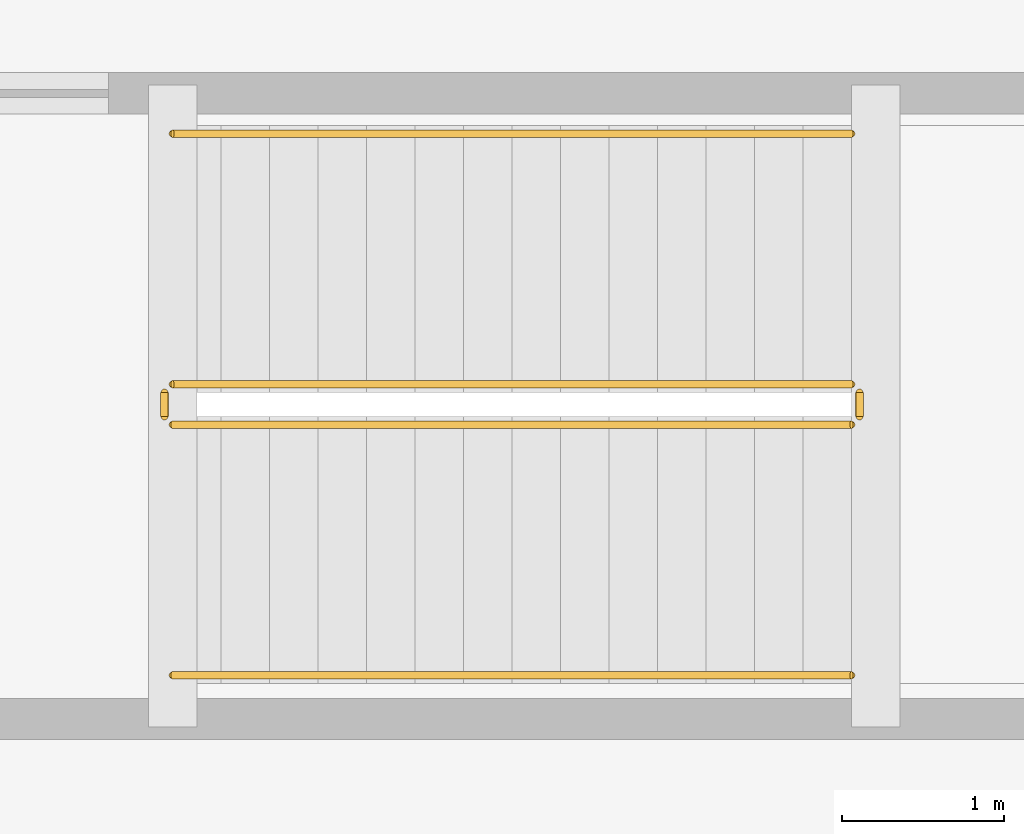
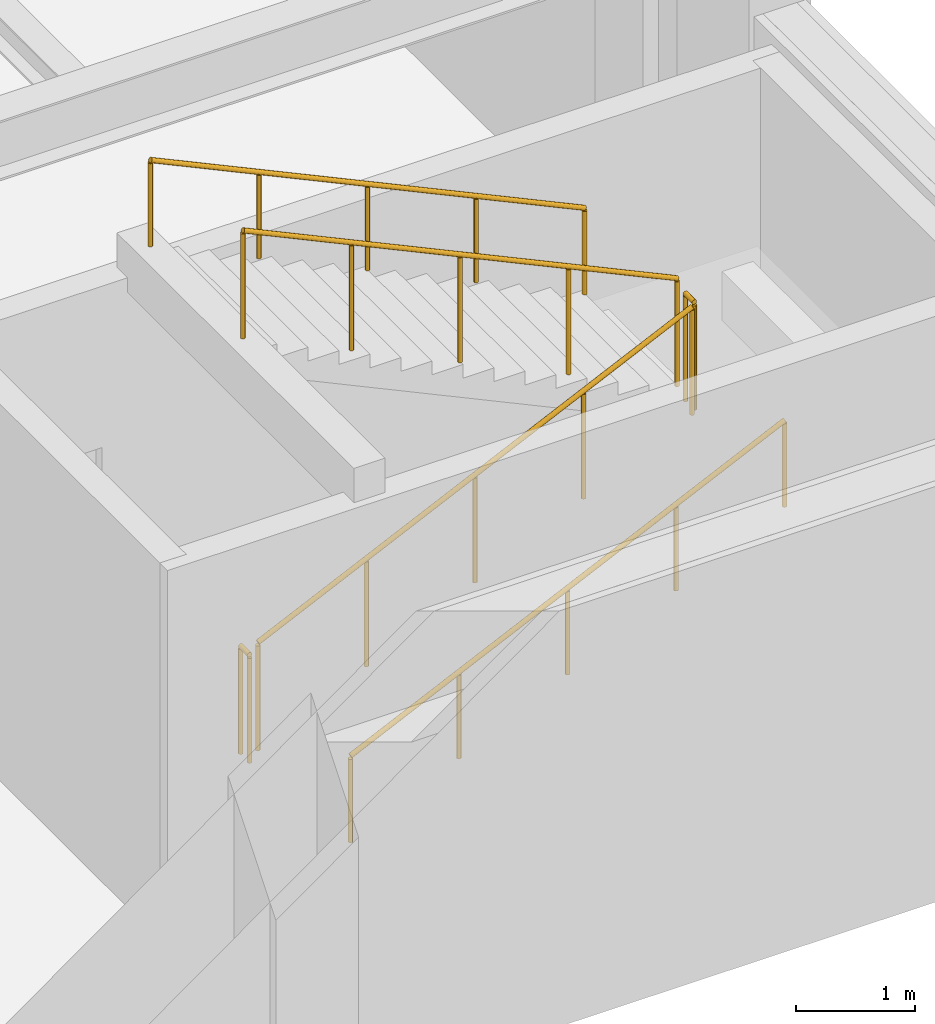
# One storey, part 60 of 63: 6 railings.
"""IFC4 building model written with IfcOpenShell, lengths in metres."""

from ifc_helpers import new_model, si_unit, direction, frame, origin, origin_2d, place, context, subcontext, project, spatial, circle, extrude, material, type_object, element, save


model = new_model("IFC4")

# Units and contexts
model_context = context("Model", 3, precision=1e-05, world=origin(), true_north=direction((0.0, 1.0)))
body_context = subcontext(model_context, "Body", "Model", "MODEL_VIEW")
ifc_project = project(units=[si_unit("LENGTHUNIT", "METRE"), si_unit("AREAUNIT", "SQUARE_METRE"), si_unit("VOLUMEUNIT", "CUBIC_METRE"), si_unit("PLANEANGLEUNIT", "RADIAN"), si_unit("MASSUNIT", "GRAM", prefix="KILO")], contexts=[model_context])

# Site, building, storey
site_placement = place(None, origin())
site = spatial("IfcSite", under=ifc_project, at=site_placement, CompositionType="ELEMENT")
building_placement = place(site_placement, origin())
building = spatial("IfcBuilding", under=site, at=building_placement, Name="Cumbredor Promenade Congress Hotel", CompositionType="ELEMENT")
storey_placement = place(building_placement, frame((0.0, 0.0, -4.199951171875)))
storey = spatial("IfcBuildingStorey", under=building, at=storey_placement, Name="B01", CompositionType="ELEMENT", Elevation=-4.199951171875)

# Railings
ifc_material = material(Name="Brushed stainless steel", Category="steel")
railing_type_1 = type_object("IfcRailingType", Name="Interior Void & Stair Guardrail GR-1100", PredefinedType="GUARDRAIL", material=ifc_material)
railing_1_placement = place(storey_placement, frame((178.25, 12.199951171875, 0.139892578125)))
element("IfcRailing", 1, at=railing_1_placement, inside=storey, type_object=railing_type_1, Name="B01 ST-09 stair guard 1", PredefinedType="GUARDRAIL", context=body_context, shape_type="SweptSolid", body=[
    extrude(circle(Radius=0.02392578125, at=origin_2d()), frame((0.0, 0.0, 1.09619140625), z_axis=(0.906184485727, 0.0, 0.422882581609), x_axis=(0.0, 1.0, 0.0)), (0.0, 0.0, 1.0), 4.634765625),
    extrude(circle(Radius=0.02099609375, at=origin_2d()), origin(), (0.0, 0.0, 1.0), 1.072021484375),
    extrude(circle(Radius=0.02099609375, at=origin_2d()), frame((1.050048828125, 0.0, 0.489990234375)), (0.0, 0.0, 1.0), 1.072021484375),
    extrude(circle(Radius=0.02099609375, at=origin_2d()), frame((2.10009765625, 0.0, 0.97998046875)), (0.0, 0.0, 1.0), 1.072021484375),
    extrude(circle(Radius=0.02099609375, at=origin_2d()), frame((3.14990234375, 0.0, 1.469970703125)), (0.0, 0.0, 1.0), 1.072021484375),
    extrude(circle(Radius=0.02099609375, at=origin_2d()), frame((4.199951171875, 0.0, 1.9599609375)), (0.0, 0.0, 1.0), 1.072021484375),
])
railing_2_placement = place(storey_placement, frame((182.5, 12.25, 2.099853515625)))
element("IfcRailing", 2, at=railing_2_placement, inside=storey, type_object=railing_type_1, Name="B01 ST-09 stair guard 2", PredefinedType="GUARDRAIL", context=body_context, shape_type="SweptSolid", body=[
    extrude(circle(Radius=0.02392578125, at=origin_2d()), frame((0.0, 0.0, 1.09619140625), z_axis=(0.0, 1.0, 0.0), x_axis=(-1.0, 0.0, 0.0)), (0.0, 0.0, 1.0), 0.14990234375),
    extrude(circle(Radius=0.02099609375, at=origin_2d()), origin(), (0.0, 0.0, 1.0), 1.072021484375),
    extrude(circle(Radius=0.02099609375, at=origin_2d()), frame((0.0, 0.14990234375, 0.0)), (0.0, 0.0, 1.0), 1.072021484375),
])
railing_3_placement = place(storey_placement, frame((182.449951171875, 12.449951171875, 2.239990234375)))
element("IfcRailing", 3, at=railing_3_placement, inside=storey, type_object=railing_type_1, Name="B01 ST-09 stair guard 3", PredefinedType="GUARDRAIL", context=body_context, shape_type="SweptSolid", body=[
    extrude(circle(Radius=0.02392578125, at=origin_2d()), frame((0.0, 0.0, 1.09619140625), z_axis=(-0.906184485727, 0.0, 0.422882581609), x_axis=(0.0, -1.0, 0.0)), (0.0, 0.0, 1.0), 4.634765625),
    extrude(circle(Radius=0.02099609375, at=origin_2d()), origin(), (0.0, 0.0, 1.0), 1.072021484375),
    extrude(circle(Radius=0.02099609375, at=origin_2d()), frame((-1.050048828125, 0.0, 0.489990234375)), (0.0, 0.0, 1.0), 1.072021484375),
    extrude(circle(Radius=0.02099609375, at=origin_2d()), frame((-2.10009765625, 0.0, 0.97998046875)), (0.0, 0.0, 1.0), 1.072021484375),
    extrude(circle(Radius=0.02099609375, at=origin_2d()), frame((-3.14990234375, 0.0, 1.469970703125)), (0.0, 0.0, 1.0), 1.072021484375),
    extrude(circle(Radius=0.02099609375, at=origin_2d()), frame((-4.199951171875, 0.0, 1.9599609375)), (0.0, 0.0, 1.0), 1.072021484375),
])
railing_4_placement = place(storey_placement, frame((178.199951171875, 12.25, 0.0)))
element("IfcRailing", 4, at=railing_4_placement, inside=storey, type_object=railing_type_1, Name="B01 ST-09 stair guard 4", PredefinedType="GUARDRAIL", context=body_context, shape_type="SweptSolid", body=[
    extrude(circle(Radius=0.02392578125, at=origin_2d()), frame((0.0, 0.0, 1.09619140625), z_axis=(0.0, 1.0, 0.0), x_axis=(-1.0, 0.0, 0.0)), (0.0, 0.0, 1.0), 0.14990234375),
    extrude(circle(Radius=0.02099609375, at=origin_2d()), origin(), (0.0, 0.0, 1.0), 1.072021484375),
    extrude(circle(Radius=0.02099609375, at=origin_2d()), frame((0.0, 0.14990234375, 0.0)), (0.0, 0.0, 1.0), 1.072021484375),
])
railing_type_2 = type_object("IfcRailingType", Name="Stair Pitch Handrail HR-900", PredefinedType="HANDRAIL", material=ifc_material)
railing_5_placement = place(storey_placement, frame((178.25, 10.64990234375, 0.139892578125)))
element("IfcRailing", 5, at=railing_5_placement, inside=storey, type_object=railing_type_2, Name="B01 ST-09 stair handrail 1", PredefinedType="HANDRAIL", context=body_context, shape_type="SweptSolid", body=[
    extrude(circle(Radius=0.02392578125, at=origin_2d()), frame((0.0, 0.0, 0.8759765625), z_axis=(0.906184485727, 0.0, 0.422882581609), x_axis=(0.0, 1.0, 0.0)), (0.0, 0.0, 1.0), 4.634765625),
    extrude(circle(Radius=0.02099609375, at=origin_2d()), origin(), (0.0, 0.0, 1.0), 0.851806640625),
    extrude(circle(Radius=0.02099609375, at=origin_2d()), frame((1.050048828125, 0.0, 0.489990234375)), (0.0, 0.0, 1.0), 0.851806640625),
    extrude(circle(Radius=0.02099609375, at=origin_2d()), frame((2.10009765625, 0.0, 0.97998046875)), (0.0, 0.0, 1.0), 0.851806640625),
    extrude(circle(Radius=0.02099609375, at=origin_2d()), frame((3.14990234375, 0.0, 1.469970703125)), (0.0, 0.0, 1.0), 0.851806640625),
    extrude(circle(Radius=0.02099609375, at=origin_2d()), frame((4.199951171875, 0.0, 1.9599609375)), (0.0, 0.0, 1.0), 0.851806640625),
])
railing_6_placement = place(storey_placement, frame((182.449951171875, 14.0, 2.239990234375)))
element("IfcRailing", 6, at=railing_6_placement, inside=storey, type_object=railing_type_2, Name="B01 ST-09 stair handrail 2", PredefinedType="HANDRAIL", context=body_context, shape_type="SweptSolid", body=[
    extrude(circle(Radius=0.02392578125, at=origin_2d()), frame((0.0, 0.0, 0.8759765625), z_axis=(-0.906184485727, 0.0, 0.422882581609), x_axis=(0.0, -1.0, 0.0)), (0.0, 0.0, 1.0), 4.634765625),
    extrude(circle(Radius=0.02099609375, at=origin_2d()), origin(), (0.0, 0.0, 1.0), 0.851806640625),
    extrude(circle(Radius=0.02099609375, at=origin_2d()), frame((-1.050048828125, 0.0, 0.489990234375)), (0.0, 0.0, 1.0), 0.851806640625),
    extrude(circle(Radius=0.02099609375, at=origin_2d()), frame((-2.10009765625, 0.0, 0.97998046875)), (0.0, 0.0, 1.0), 0.851806640625),
    extrude(circle(Radius=0.02099609375, at=origin_2d()), frame((-3.14990234375, 0.0, 1.469970703125)), (0.0, 0.0, 1.0), 0.851806640625),
    extrude(circle(Radius=0.02099609375, at=origin_2d()), frame((-4.199951171875, 0.0, 1.9599609375)), (0.0, 0.0, 1.0), 0.851806640625),
])

save(model, "model.ifc")
